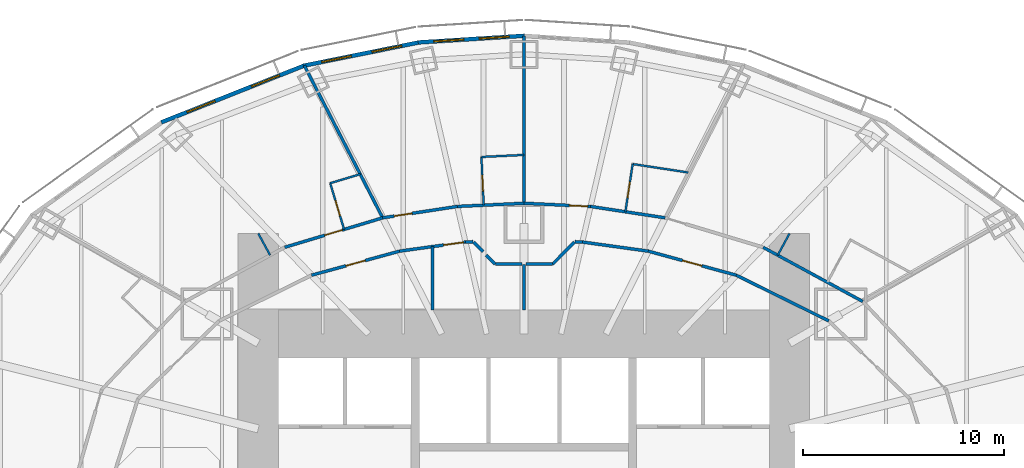
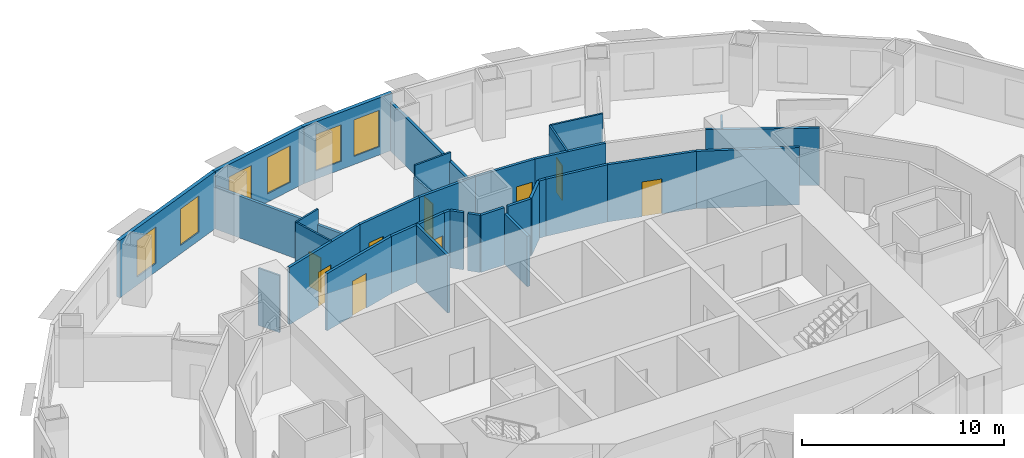
# One storey, part 9 of 15: 33 walls, 9 doors, 6 windows, 15 openings.
"""IFC4 building model written with IfcOpenShell, lengths in metres."""

from ifc_helpers import new_model, si_unit, direction, frame, frame_2d, origin, place, context, subcontext, project, spatial, rectangle, extrude, material, layer, layer_set, type_object, element, fill, save


model = new_model("IFC4")

# Units and contexts
model_context = context("Model", 3, precision=1e-05, world=origin(), true_north=direction((0.0, 1.0)))
body_context = subcontext(model_context, "Body", "Model", "MODEL_VIEW")
ifc_project = project(units=[si_unit("LENGTHUNIT", "METRE"), si_unit("AREAUNIT", "SQUARE_METRE"), si_unit("VOLUMEUNIT", "CUBIC_METRE"), si_unit("PLANEANGLEUNIT", "RADIAN"), si_unit("MASSUNIT", "GRAM", prefix="KILO")], contexts=[model_context])

# Site, building, storey
site_placement = place(None, origin())
site = spatial("IfcSite", under=ifc_project, at=site_placement, CompositionType="ELEMENT")
building_placement = place(site_placement, origin())
building = spatial("IfcBuilding", under=site, at=building_placement, Name="Lantaw Convention Tower", CompositionType="ELEMENT")
storey_placement = place(building_placement, frame((0.0, 0.0, 83.800048828125)))
storey = spatial("IfcBuildingStorey", under=building, at=storey_placement, Name="L19", CompositionType="ELEMENT", Elevation=83.800048828125)

# Walls
ifc_material_1 = material(Name="Gypsum board on steel studs", Category="steel")
ifc_layer_1 = layer(ifc_material_1, 0.14990234375)
ifc_layer_set_1 = layer_set([ifc_layer_1], Name="Back of house wall 150")
wall_type_1 = type_object("IfcWallType", Name="Back of house wall 150", PredefinedType="PARTITIONING", material=ifc_layer_set_1)
wall_1_placement = place(storey_placement, frame((0.0, 9.199951171875, 0.0), z_axis=(0.0, 0.0, 1.0), x_axis=(0.0, 1.0, 0.0)))
element("IfcWall", 1, at=wall_1_placement, inside=storey, type_object=wall_type_1, Name="Back of house wall 150", PredefinedType="PARTITIONING", context=body_context, shape_type="SweptSolid", body=[
    extrude(rectangle(XDim=2.26513671875, YDim=0.14990234375, at=frame_2d((1.132568359375, 0.0))), origin(), (0.0, 0.0, 1.0), 3.04345703125),
])
wall_2_placement = place(storey_placement, frame((-0.103271484375, 11.47509765625, 0.0), z_axis=(0.0, 0.0, 1.0), x_axis=(-1.0, 0.0, 0.0)))
element("IfcWall", 2, at=wall_2_placement, inside=storey, type_object=wall_type_1, Name="Back of house wall 150", PredefinedType="PARTITIONING", context=body_context, shape_type="SweptSolid", body=[
    extrude(rectangle(XDim=1.3212890625, YDim=0.14990234375, at=frame_2d((0.66064453125, 0.0))), origin(), (0.0, 0.0, 1.0), 3.449951171875),
])
wall_3_placement = place(storey_placement, frame((-1.424560546875, 11.47509765625, 0.0), z_axis=(0.0, 0.0, 1.0), x_axis=(-0.707106781187, 0.707106781187, 0.0)))
element("IfcWall", 3, at=wall_3_placement, inside=storey, type_object=wall_type_1, Name="Back of house wall 150", PredefinedType="PARTITIONING", context=body_context, shape_type="SweptSolid", body=[
    extrude(rectangle(XDim=0.635986328125, YDim=0.14990234375, at=frame_2d((0.31787109375, 0.0))), origin(), (0.0, 0.0, 1.0), 3.449951171875),
])

# Wall, opening, door
ifc_material_2 = material(Name="Moisture resistant gypsum board on steel studs", Category="steel")
ifc_layer_2 = layer(ifc_material_2, 0.10009765625)
ifc_layer_set_2 = layer_set([ifc_layer_2], Name="Bathroom wall 100")
wall_type_2 = type_object("IfcWallType", Name="Bathroom wall 100", PredefinedType="PARTITIONING", material=ifc_layer_set_2)
wall_4_placement = place(storey_placement, frame((5.042236328125, 14.077880859375, 0.0), z_axis=(0.0, 0.0, 1.0), x_axis=(0.150856962013, 0.988555601376, 0.0)))
wall_4 = element("IfcWall", 4, at=wall_4_placement, inside=storey, type_object=wall_type_2, Name="Bathroom wall 100", PredefinedType="PARTITIONING", context=body_context, shape_type="SweptSolid", body=[
    extrude(rectangle(XDim=2.400146484375, YDim=0.10009765625, at=frame_2d((1.2001953125, 0.0))), origin(), (0.0, 0.0, 1.0), 3.449951171875),
])
opening_1_placement = place(wall_4_placement, frame((0.699951171875, 0.0, 0.0)))
opening_1 = element("IfcOpeningElement", 5, at=opening_1_placement, cuts=wall_4, Name="Opening L19.29", PredefinedType="OPENING", context=body_context, shape_type="SweptSolid", body=[
    extrude(rectangle(XDim=0.800048828125, YDim=2.10009765625, at=frame_2d((0.39990234375, 1.050048828125))), frame((0.0, 0.06005859375, 0.0), z_axis=(0.0, -1.0, 0.0), x_axis=(1.0, 0.0, 0.0)), (0.0, 0.0, 1.0), 0.1201171875),
])
ifc_material_3 = material(Name="Timber", Category="wood")
door_type_1 = type_object("IfcDoorType", Name="Bathroom door 800", OperationType="SINGLE_SWING_LEFT", PredefinedType="DOOR", material=ifc_material_3)
door_1_placement = place(opening_1_placement, origin())
door_1 = element("IfcDoor", 6, at=door_1_placement, inside=storey, type_object=door_type_1, Name="Bathroom door", OperationType="SINGLE_SWING_LEFT", OverallHeight=2.10009765625, OverallWidth=0.800048828125, PredefinedType="DOOR", context=body_context, shape_type="SweptSolid", body=[
    extrude(rectangle(XDim=0.800048828125, YDim=2.10009765625, at=frame_2d((0.39990234375, 1.050048828125))), frame((0.0, 0.02490234375, 0.0), z_axis=(0.0, -1.0, 0.0), x_axis=(1.0, 0.0, 0.0)), (0.0, 0.0, 1.0), 0.050048828125),
])
fill(opening_1, door_1)

# Wall
wall_5_placement = place(storey_placement, frame((5.404296875, 16.450439453125, 0.0), z_axis=(0.0, 0.0, 1.0), x_axis=(0.988568792086, -0.150770498819, 0.0)))
element("IfcWall", 7, at=wall_5_placement, inside=storey, type_object=wall_type_2, Name="Bathroom wall 100", PredefinedType="PARTITIONING", context=body_context, shape_type="SweptSolid", body=[
    extrude(rectangle(XDim=2.794921875, YDim=0.10009765625, at=frame_2d((1.3974609375, 0.0))), origin(), (0.0, 0.0, 1.0), 3.449951171875),
])

# Wall, opening, door
wall_6_placement = place(storey_placement, frame((-1.997802734375, 14.40478515625, 0.0), z_axis=(0.0, 0.0, 1.0), x_axis=(-0.047608648396, 0.998866065395, 0.0)))
wall_6 = element("IfcWall", 8, at=wall_6_placement, inside=storey, type_object=wall_type_2, Name="Bathroom wall 100", PredefinedType="PARTITIONING", context=body_context, shape_type="SweptSolid", body=[
    extrude(rectangle(XDim=2.39990234375, YDim=0.10009765625, at=frame_2d((1.199951171875, 0.0))), origin(), (0.0, 0.0, 1.0), 2.7490234375),
])
opening_2_placement = place(wall_6_placement, frame((0.699951171875, 0.0, 0.0)))
opening_2 = element("IfcOpeningElement", 9, at=opening_2_placement, cuts=wall_6, Name="Opening L19.31", PredefinedType="OPENING", context=body_context, shape_type="SweptSolid", body=[
    extrude(rectangle(XDim=0.800048828125, YDim=2.10009765625, at=frame_2d((0.39990234375, 1.050048828125))), frame((0.0, 0.06005859375, 0.0), z_axis=(0.0, -1.0, 0.0), x_axis=(1.0, 0.0, 0.0)), (0.0, 0.0, 1.0), 0.1201171875),
])
door_2_placement = place(opening_2_placement, origin())
door_2 = element("IfcDoor", 10, at=door_2_placement, inside=storey, type_object=door_type_1, Name="Bathroom door", OperationType="SINGLE_SWING_LEFT", OverallHeight=2.10009765625, OverallWidth=0.800048828125, PredefinedType="DOOR", context=body_context, shape_type="SweptSolid", body=[
    extrude(rectangle(XDim=0.800048828125, YDim=2.10009765625, at=frame_2d((0.39990234375, 1.050048828125))), frame((0.0, 0.02490234375, 0.0), z_axis=(0.0, -1.0, 0.0), x_axis=(1.0, 0.0, 0.0)), (0.0, 0.0, 1.0), 0.050048828125),
])
fill(opening_2, door_2)

# Wall
wall_7_placement = place(storey_placement, frame((-2.112060546875, 16.802001953125, 0.0), z_axis=(0.0, 0.0, 1.0), x_axis=(0.998862383453, 0.047685835668, 0.0)))
element("IfcWall", 11, at=wall_7_placement, inside=storey, type_object=wall_type_2, Name="Bathroom wall 100", PredefinedType="PARTITIONING", context=body_context, shape_type="SweptSolid", body=[
    extrude(rectangle(XDim=2.114501953125, YDim=0.10009765625, at=frame_2d((1.05712890625, 0.0))), origin(), (0.0, 0.0, 1.0), 3.449951171875),
])

# Wall, opening, door
wall_8_placement = place(storey_placement, frame((-8.9345703125, 13.199951171875, 0.0), z_axis=(0.0, 0.0, 1.0), x_axis=(-0.288197066254, 0.957571120598, 0.0)))
wall_8 = element("IfcWall", 12, at=wall_8_placement, inside=storey, type_object=wall_type_2, Name="Bathroom wall 100", PredefinedType="PARTITIONING", context=body_context, shape_type="SweptSolid", body=[
    extrude(rectangle(XDim=2.39990234375, YDim=0.10009765625, at=frame_2d((1.199951171875, 0.0))), origin(), (0.0, 0.0, 1.0), 3.449951171875),
])
opening_3_placement = place(wall_8_placement, frame((0.699951171875, 0.0, 0.0)))
opening_3 = element("IfcOpeningElement", 13, at=opening_3_placement, cuts=wall_8, Name="Opening L19.33", PredefinedType="OPENING", context=body_context, shape_type="SweptSolid", body=[
    extrude(rectangle(XDim=0.800048828125, YDim=2.10009765625, at=frame_2d((0.39990234375, 1.050048828125))), frame((0.0, 0.06005859375, 0.0), z_axis=(0.0, -1.0, 0.0), x_axis=(1.0, 0.0, 0.0)), (0.0, 0.0, 1.0), 0.1201171875),
])
door_3_placement = place(opening_3_placement, origin())
door_3 = element("IfcDoor", 14, at=door_3_placement, inside=storey, type_object=door_type_1, Name="Bathroom door", OperationType="SINGLE_SWING_LEFT", OverallHeight=2.10009765625, OverallWidth=0.800048828125, PredefinedType="DOOR", context=body_context, shape_type="SweptSolid", body=[
    extrude(rectangle(XDim=0.800048828125, YDim=2.10009765625, at=frame_2d((0.39990234375, 1.050048828125))), frame((0.0, 0.02490234375, 0.0), z_axis=(0.0, -1.0, 0.0), x_axis=(1.0, 0.0, 0.0)), (0.0, 0.0, 1.0), 0.050048828125),
])
fill(opening_3, door_3)

# Walls
wall_9_placement = place(storey_placement, frame((-9.626220703125, 15.498046875, 0.0), z_axis=(0.0, 0.0, 1.0), x_axis=(0.957551231109, 0.288263143328, 0.0)))
element("IfcWall", 15, at=wall_9_placement, inside=storey, type_object=wall_type_2, Name="Bathroom wall 100", PredefinedType="PARTITIONING", context=body_context, shape_type="SweptSolid", body=[
    extrude(rectangle(XDim=1.56591796875, YDim=0.10009765625, at=frame_2d((0.782958984375, 0.0))), origin(), (0.0, 0.0, 1.0), 3.449951171875),
])
ifc_material_4 = material(Name="Gypsum board on steel studs, fire rated", Category="steel")
ifc_layer_3 = layer(ifc_material_4, 0.14990234375)
ifc_layer_set_3 = layer_set([ifc_layer_3], Name="Corridor wall 150 EI 60")
wall_type_3 = type_object("IfcWallType", Name="Corridor wall 150 EI 60", PredefinedType="PARTITIONING", material=ifc_layer_set_3)
wall_10_placement = place(storey_placement, frame((16.8349609375, 9.6201171875, 0.0), z_axis=(0.0, 0.0, 1.0), x_axis=(-0.878450059298, 0.477834169267, 0.0)))
element("IfcWall", 16, at=wall_10_placement, inside=storey, type_object=wall_type_3, Name="Corridor wall 150", PredefinedType="PARTITIONING", context=body_context, shape_type="SweptSolid", body=[
    extrude(rectangle(XDim=5.630859375, YDim=0.14990234375, at=frame_2d((2.8154296875, 0.0))), origin(), (0.0, 0.0, 1.0), 3.449951171875),
])
wall_11_placement = place(storey_placement, frame((7.019287109375, 13.7763671875, 0.0), z_axis=(0.0, 0.0, 1.0), x_axis=(-0.988564270062, 0.150800145746, 0.0)))
element("IfcWall", 17, at=wall_11_placement, inside=storey, type_object=wall_type_3, Name="Corridor wall 150", PredefinedType="PARTITIONING", context=body_context, shape_type="SweptSolid", body=[
    extrude(rectangle(XDim=3.751220703125, YDim=0.14990234375, at=frame_2d((1.87548828125, 0.0))), origin(), (0.0, 0.0, 1.0), 3.449951171875),
])

# Wall, opening, door
wall_12_placement = place(storey_placement, frame((3.31103515625, 14.342041015625, 0.0), z_axis=(0.0, 0.0, 1.0), x_axis=(-0.998863968075, 0.047652631422, 0.0)))
wall_12 = element("IfcWall", 18, at=wall_12_placement, inside=storey, type_object=wall_type_3, Name="Corridor wall 150", PredefinedType="PARTITIONING", context=body_context, shape_type="SweptSolid", body=[
    extrude(rectangle(XDim=3.314697265625, YDim=0.14990234375, at=frame_2d((1.6572265625, 0.0))), origin(), (0.0, 0.0, 1.0), 3.449951171875),
])
opening_4_placement = place(wall_12_placement, frame((0.14990234375, 0.0, 0.0)))
opening_4 = element("IfcOpeningElement", 19, at=opening_4_placement, cuts=wall_12, Name="Opening L19.30", PredefinedType="OPENING", context=body_context, shape_type="SweptSolid", body=[
    extrude(rectangle(XDim=0.89990234375, YDim=2.10009765625, at=frame_2d((0.449951171875, 1.050048828125))), frame((0.0, 0.0849609375, 0.0), z_axis=(0.0, -1.0, 0.0), x_axis=(1.0, 0.0, 0.0)), (0.0, 0.0, 1.0), 0.169921875),
])
ifc_material_5 = material(Name="Steel, fire rated", Category="steel")
door_type_2 = type_object("IfcDoorType", Name="Guest room entrance door FD30S", OperationType="SINGLE_SWING_LEFT", PredefinedType="DOOR", material=ifc_material_5)
door_4_placement = place(opening_4_placement, origin())
door_4 = element("IfcDoor", 20, at=door_4_placement, inside=storey, type_object=door_type_2, Name="Junior suite entrance door", OperationType="SINGLE_SWING_LEFT", OverallHeight=2.10009765625, OverallWidth=0.89990234375, PredefinedType="DOOR", context=body_context, shape_type="SweptSolid", body=[
    extrude(rectangle(XDim=0.89990234375, YDim=2.10009765625, at=frame_2d((0.449951171875, 1.050048828125))), frame((0.0, 0.02490234375, 0.0), z_axis=(0.0, -1.0, 0.0), x_axis=(1.0, 0.0, 0.0)), (0.0, 0.0, 1.0), 0.050048828125),
])
fill(opening_4, door_4)

# Wall
wall_13_placement = place(storey_placement, frame((0.0, 14.5, 0.0), z_axis=(0.0, 0.0, 1.0), x_axis=(-0.998863968075, -0.047652631422, 0.0)))
element("IfcWall", 21, at=wall_13_placement, inside=storey, type_object=wall_type_3, Name="Corridor wall 150", PredefinedType="PARTITIONING", context=body_context, shape_type="SweptSolid", body=[
    extrude(rectangle(XDim=3.314697265625, YDim=0.14990234375, at=frame_2d((1.6572265625, 0.0))), origin(), (0.0, 0.0, 1.0), 3.449951171875),
])

# Wall, opening, door
wall_14_placement = place(storey_placement, frame((-3.31103515625, 14.342041015625, 0.0), z_axis=(0.0, 0.0, 1.0), x_axis=(-0.988564270062, -0.150800145746, 0.0)))
wall_14 = element("IfcWall", 22, at=wall_14_placement, inside=storey, type_object=wall_type_3, Name="Corridor wall 150", PredefinedType="PARTITIONING", context=body_context, shape_type="SweptSolid", body=[
    extrude(rectangle(XDim=3.751220703125, YDim=0.14990234375, at=frame_2d((1.87548828125, 0.0))), origin(), (0.0, 0.0, 1.0), 3.449951171875),
])
opening_5_placement = place(wall_14_placement, frame((2.27587890625, 0.0, 0.0)))
opening_5 = element("IfcOpeningElement", 23, at=opening_5_placement, cuts=wall_14, Name="Opening L19.32", PredefinedType="OPENING", context=body_context, shape_type="SweptSolid", body=[
    extrude(rectangle(XDim=0.89990234375, YDim=2.10009765625, at=frame_2d((0.449951171875, 1.050048828125))), frame((0.0, 0.0849609375, 0.0), z_axis=(0.0, -1.0, 0.0), x_axis=(1.0, 0.0, 0.0)), (0.0, 0.0, 1.0), 0.169921875),
])
door_5_placement = place(opening_5_placement, origin())
door_5 = element("IfcDoor", 24, at=door_5_placement, inside=storey, type_object=door_type_2, Name="Junior suite entrance door", OperationType="SINGLE_SWING_LEFT", OverallHeight=2.10009765625, OverallWidth=0.89990234375, PredefinedType="DOOR", context=body_context, shape_type="SweptSolid", body=[
    extrude(rectangle(XDim=0.89990234375, YDim=2.10009765625, at=frame_2d((0.449951171875, 1.050048828125))), frame((0.0, 0.02490234375, 0.0), z_axis=(0.0, -1.0, 0.0), x_axis=(1.0, 0.0, 0.0)), (0.0, 0.0, 1.0), 0.050048828125),
])
fill(opening_5, door_5)

wall_15_placement = place(storey_placement, frame((-7.019287109375, 13.7763671875, 0.0), z_axis=(0.0, 0.0, 1.0), x_axis=(-0.957564241242, -0.288219922793, 0.0)))
wall_15 = element("IfcWall", 25, at=wall_15_placement, inside=storey, type_object=wall_type_3, Name="Corridor wall 150", PredefinedType="PARTITIONING", context=body_context, shape_type="SweptSolid", body=[
    extrude(rectangle(XDim=5.0849609375, YDim=0.14990234375, at=frame_2d((2.54248046875, 0.0))), origin(), (0.0, 0.0, 1.0), 3.449951171875),
])
opening_6_placement = place(wall_15_placement, frame((2.10009765625, 0.0, 0.0)))
opening_6 = element("IfcOpeningElement", 26, at=opening_6_placement, cuts=wall_15, Name="Opening L19.34", PredefinedType="OPENING", context=body_context, shape_type="SweptSolid", body=[
    extrude(rectangle(XDim=0.89990234375, YDim=2.10009765625, at=frame_2d((0.449951171875, 1.050048828125))), frame((0.0, 0.0849609375, 0.0), z_axis=(0.0, -1.0, 0.0), x_axis=(1.0, 0.0, 0.0)), (0.0, 0.0, 1.0), 0.169921875),
])
door_6_placement = place(opening_6_placement, origin())
door_6 = element("IfcDoor", 27, at=door_6_placement, inside=storey, type_object=door_type_2, Name="Junior suite entrance door", OperationType="SINGLE_SWING_LEFT", OverallHeight=2.10009765625, OverallWidth=0.89990234375, PredefinedType="DOOR", context=body_context, shape_type="SweptSolid", body=[
    extrude(rectangle(XDim=0.89990234375, YDim=2.10009765625, at=frame_2d((0.449951171875, 1.050048828125))), frame((0.0, 0.02490234375, 0.0), z_axis=(0.0, -1.0, 0.0), x_axis=(1.0, 0.0, 0.0)), (0.0, 0.0, 1.0), 0.050048828125),
])
fill(opening_6, door_6)

# Wall
wall_16_placement = place(storey_placement, frame((15.1474609375, 8.65576171875, 0.0), z_axis=(0.0, 0.0, 1.0), x_axis=(-0.89656943448, 0.442903205177, 0.0)))
element("IfcWall", 28, at=wall_16_placement, inside=storey, type_object=wall_type_3, Name="Corridor wall 150", PredefinedType="PARTITIONING", context=body_context, shape_type="SweptSolid", body=[
    extrude(rectangle(XDim=5.12646484375, YDim=0.14990234375, at=frame_2d((2.563232421875, 0.0))), origin(), (0.0, 0.0, 1.0), 3.449951171875),
])

# Wall, opening, door
wall_17_placement = place(storey_placement, frame((10.55126953125, 10.92626953125, 0.0), z_axis=(0.0, 0.0, 1.0), x_axis=(-0.964644466646, 0.263554648923, 0.0)))
wall_17 = element("IfcWall", 29, at=wall_17_placement, inside=storey, type_object=wall_type_3, Name="Corridor wall 150", PredefinedType="PARTITIONING", context=body_context, shape_type="SweptSolid", body=[
    extrude(rectangle(XDim=4.535400390625, YDim=0.14990234375, at=frame_2d((2.267578125, 0.0))), origin(), (0.0, 0.0, 1.0), 3.449951171875),
])
opening_7_placement = place(wall_17_placement, frame((1.767578125, 0.0, 0.0)))
opening_7 = element("IfcOpeningElement", 30, at=opening_7_placement, cuts=wall_17, Name="Opening L19.16", PredefinedType="OPENING", context=body_context, shape_type="SweptSolid", body=[
    extrude(rectangle(XDim=1.0, YDim=2.10009765625, at=frame_2d((0.5, 1.050048828125))), frame((0.0, 0.0849609375, 0.0), z_axis=(0.0, -1.0, 0.0), x_axis=(1.0, 0.0, 0.0)), (0.0, 0.0, 1.0), 0.169921875),
])
door_type_3 = type_object("IfcDoorType", Name="Service door 1000 FD30", OperationType="SINGLE_SWING_LEFT", PredefinedType="DOOR", material=ifc_material_5)
door_7_placement = place(opening_7_placement, origin())
door_7 = element("IfcDoor", 31, at=door_7_placement, inside=storey, type_object=door_type_3, Name="Linen store door", OperationType="SINGLE_SWING_LEFT", OverallHeight=2.10009765625, OverallWidth=1.0, PredefinedType="DOOR", context=body_context, shape_type="SweptSolid", body=[
    extrude(rectangle(XDim=1.0, YDim=2.10009765625, at=frame_2d((0.5, 1.050048828125))), frame((0.0, 0.02490234375, 0.0), z_axis=(0.0, -1.0, 0.0), x_axis=(1.0, 0.0, 0.0)), (0.0, 0.0, 1.0), 0.050048828125),
])
fill(opening_7, door_7)

# Wall
wall_18_placement = place(storey_placement, frame((6.17626953125, 12.12158203125, 0.0), z_axis=(0.0, 0.0, 1.0), x_axis=(-0.990563451353, 0.137054911782, 0.0)))
element("IfcWall", 32, at=wall_18_placement, inside=storey, type_object=wall_type_3, Name="Corridor wall 150", PredefinedType="PARTITIONING", context=body_context, shape_type="SweptSolid", body=[
    extrude(rectangle(XDim=3.304443359375, YDim=0.14990234375, at=frame_2d((1.65234375, 0.0))), origin(), (0.0, 0.0, 1.0), 3.449951171875),
])

# Wall, opening, door
wall_19_placement = place(storey_placement, frame((-2.903076171875, 12.574462890625, 0.0), z_axis=(0.0, 0.0, 1.0), x_axis=(-0.990563451353, -0.137054911782, 0.0)))
wall_19 = element("IfcWall", 33, at=wall_19_placement, inside=storey, type_object=wall_type_3, Name="Corridor wall 150", PredefinedType="PARTITIONING", context=body_context, shape_type="SweptSolid", body=[
    extrude(rectangle(XDim=3.304443359375, YDim=0.14990234375, at=frame_2d((1.65234375, 0.0))), origin(), (0.0, 0.0, 1.0), 3.449951171875),
])
opening_8_placement = place(wall_19_placement, frame((0.10009765625, 0.0, 0.0)))
opening_8 = element("IfcOpeningElement", 34, at=opening_8_placement, cuts=wall_19, Name="Opening L19.18", PredefinedType="OPENING", context=body_context, shape_type="SweptSolid", body=[
    extrude(rectangle(XDim=1.0, YDim=2.10009765625, at=frame_2d((0.5, 1.050048828125))), frame((0.0, 0.0849609375, 0.0), z_axis=(0.0, -1.0, 0.0), x_axis=(1.0, 0.0, 0.0)), (0.0, 0.0, 1.0), 0.169921875),
])
door_type_4 = type_object("IfcDoorType", Name="Accessible WC door 1000 FD30", OperationType="SINGLE_SWING_LEFT", PredefinedType="DOOR", material=ifc_material_5)
door_8_placement = place(opening_8_placement, origin())
door_8 = element("IfcDoor", 35, at=door_8_placement, inside=storey, type_object=door_type_4, Name="Accessible WC door", OperationType="SINGLE_SWING_LEFT", OverallHeight=2.10009765625, OverallWidth=1.0, PredefinedType="DOOR", context=body_context, shape_type="SweptSolid", body=[
    extrude(rectangle(XDim=1.0, YDim=2.10009765625, at=frame_2d((0.5, 1.050048828125))), frame((0.0, 0.02490234375, 0.0), z_axis=(0.0, -1.0, 0.0), x_axis=(1.0, 0.0, 0.0)), (0.0, 0.0, 1.0), 0.050048828125),
])
fill(opening_8, door_8)

wall_20_placement = place(storey_placement, frame((-6.17626953125, 12.12158203125, 0.0), z_axis=(0.0, 0.0, 1.0), x_axis=(-0.964644466646, -0.263554648923, 0.0)))
wall_20 = element("IfcWall", 36, at=wall_20_placement, inside=storey, type_object=wall_type_3, Name="Corridor wall 150", PredefinedType="PARTITIONING", context=body_context, shape_type="SweptSolid", body=[
    extrude(rectangle(XDim=4.535400390625, YDim=0.14990234375, at=frame_2d((2.267578125, 0.0))), origin(), (0.0, 0.0, 1.0), 3.449951171875),
])
opening_9_placement = place(wall_20_placement, frame((1.767578125, 0.0, 0.0)))
opening_9 = element("IfcOpeningElement", 37, at=opening_9_placement, cuts=wall_20, Name="Opening L19.19", PredefinedType="OPENING", context=body_context, shape_type="SweptSolid", body=[
    extrude(rectangle(XDim=1.0, YDim=2.10009765625, at=frame_2d((0.5, 1.050048828125))), frame((0.0, 0.0849609375, 0.0), z_axis=(0.0, -1.0, 0.0), x_axis=(1.0, 0.0, 0.0)), (0.0, 0.0, 1.0), 0.169921875),
])
door_9_placement = place(opening_9_placement, origin())
door_9 = element("IfcDoor", 38, at=door_9_placement, inside=storey, type_object=door_type_3, Name="Housekeeping room door", OperationType="SINGLE_SWING_LEFT", OverallHeight=2.10009765625, OverallWidth=1.0, PredefinedType="DOOR", context=body_context, shape_type="SweptSolid", body=[
    extrude(rectangle(XDim=1.0, YDim=2.10009765625, at=frame_2d((0.5, 1.050048828125))), frame((0.0, 0.02490234375, 0.0), z_axis=(0.0, -1.0, 0.0), x_axis=(1.0, 0.0, 0.0)), (0.0, 0.0, 1.0), 0.050048828125),
])
fill(opening_9, door_9)

# Walls
for number, where, z_axis, x_axis, name in (
    (39, (2.903076171875, 12.574462890625, 0.0), (0.0, 0.0, 1.0), (-0.999061181733, 0.04332153223, 0.0), "Corridor wall 150"),
    (40, (-2.537109375, 12.59033203125, 0.0), (0.0, 0.0, 1.0), (-0.999061181733, -0.04332153223, 0.0), "Corridor wall 150"),
):
    element("IfcWall", number, at=place(storey_placement, frame(where, z_axis=z_axis, x_axis=x_axis)), inside=storey, type_object=wall_type_3, Name=name, PredefinedType="PARTITIONING", context=body_context, shape_type="SweptSolid", body=[
        extrude(rectangle(XDim=0.3662109375, YDim=0.14990234375, at=frame_2d((0.18310546875, 0.0))), origin(), (0.0, 0.0, 1.0), 3.449951171875),
    ])
wall_21_placement = place(storey_placement, frame((2.50634765625, 12.57373046875, 0.0), z_axis=(0.0, 0.0, 1.0), x_axis=(-0.701622806479, -0.712548550927, 0.0)))
element("IfcWall", 41, at=wall_21_placement, inside=storey, type_object=wall_type_3, Name="Corridor wall 150", PredefinedType="PARTITIONING", context=body_context, shape_type="SweptSolid", body=[
    extrude(rectangle(XDim=1.541748046875, YDim=0.14990234375, at=frame_2d((0.77099609375, 0.0))), origin(), (0.0, 0.0, 1.0), 3.449951171875),
])
wall_22_placement = place(storey_placement, frame((1.424560546875, 11.47509765625, 0.0), z_axis=(0.0, 0.0, 1.0), x_axis=(-1.0, 0.0, 0.0)))
element("IfcWall", 42, at=wall_22_placement, inside=storey, type_object=wall_type_3, Name="Corridor wall 150", PredefinedType="PARTITIONING", context=body_context, shape_type="SweptSolid", body=[
    extrude(rectangle(XDim=1.3212890625, YDim=0.14990234375, at=frame_2d((0.66064453125, 0.0))), origin(), (0.0, 0.0, 1.0), 3.449951171875),
])
wall_23_placement = place(storey_placement, frame((-2.02490234375, 12.09228515625, 0.0), z_axis=(0.0, 0.0, 1.0), x_axis=(-0.707106781187, 0.707106781187, 0.0)))
element("IfcWall", 43, at=wall_23_placement, inside=storey, type_object=wall_type_3, Name="Corridor wall 150", PredefinedType="PARTITIONING", context=body_context, shape_type="SweptSolid", body=[
    extrude(rectangle(XDim=0.680908203125, YDim=0.14990234375, at=frame_2d((0.34033203125, 0.0))), origin(), (0.0, 0.0, 1.0), 3.449951171875),
])

# Wall, openings, windows
ifc_material_6 = material(Name="Insulated aluminium panel on steel frame", Category="steel")
ifc_layer_4 = layer(ifc_material_6, 0.199951171875)
ifc_layer_set_4 = layer_set([ifc_layer_4], Name="External wall 200")
wall_type_4 = type_object("IfcWallType", Name="External wall 200", PredefinedType="SOLIDWALL", material=ifc_layer_set_4)
wall_24_placement = place(storey_placement, frame((0.041015625, 22.8271484375, 0.0), z_axis=(0.0, 0.0, 1.0), x_axis=(-0.998018582375, -0.062919863585, 0.0)))
wall_24 = element("IfcWall", 44, at=wall_24_placement, inside=storey, type_object=wall_type_4, Name="Facade panel wall", PredefinedType="SOLIDWALL", context=body_context, shape_type="SweptSolid", body=[
    extrude(rectangle(XDim=5.30419921875, YDim=0.199951171875, at=frame_2d((2.652099609375, 0.0))), origin(), (0.0, 0.0, 1.0), 3.449951171875),
])
opening_10_placement = place(wall_24_placement, frame((0.77587890625, 0.0, 0.5)))
opening_10 = element("IfcOpeningElement", 45, at=opening_10_placement, cuts=wall_24, Name="Opening W2", PredefinedType="OPENING", context=body_context, shape_type="SweptSolid", body=[
    extrude(rectangle(XDim=1.5, YDim=2.199951171875, at=frame_2d((0.75, 1.10009765625))), frame((0.0, 0.10986328125, 0.0), z_axis=(0.0, -1.0, 0.0), x_axis=(1.0, 0.0, 0.0)), (0.0, 0.0, 1.0), 0.219970703125),
])
opening_11_placement = place(wall_24_placement, frame((3.028076171875, 0.0, 0.5)))
opening_11 = element("IfcOpeningElement", 46, at=opening_11_placement, cuts=wall_24, Name="Opening W2", PredefinedType="OPENING", context=body_context, shape_type="SweptSolid", body=[
    extrude(rectangle(XDim=1.5, YDim=2.199951171875, at=frame_2d((0.75, 1.10009765625))), frame((0.0, 0.10986328125, 0.0), z_axis=(0.0, -1.0, 0.0), x_axis=(1.0, 0.0, 0.0)), (0.0, 0.0, 1.0), 0.219970703125),
])
ifc_material_7 = material(Name="Aluminium frame, clear insulating glass", Category="aluminium")
window_type = type_object("IfcWindowType", Name="Suite window 1500x2200", PartitioningType="SINGLE_PANEL", PredefinedType="WINDOW", material=ifc_material_7)
window_1_placement = place(opening_10_placement, origin())
window_1 = element("IfcWindow", 47, at=window_1_placement, inside=storey, type_object=window_type, Name="Guest room window", OverallHeight=2.199951171875, OverallWidth=1.5, PartitioningType="SINGLE_PANEL", PredefinedType="WINDOW", context=body_context, shape_type="SweptSolid", body=[
    extrude(rectangle(XDim=1.5, YDim=2.199951171875, at=frame_2d((0.75, 1.10009765625))), frame((0.0, 0.030029296875, 0.0), z_axis=(0.0, -1.0, 0.0), x_axis=(1.0, 0.0, 0.0)), (0.0, 0.0, 1.0), 0.06005859375),
])
fill(opening_10, window_1)
window_2_placement = place(opening_11_placement, origin())
window_2 = element("IfcWindow", 48, at=window_2_placement, inside=storey, type_object=window_type, Name="Guest room window", OverallHeight=2.199951171875, OverallWidth=1.5, PartitioningType="SINGLE_PANEL", PredefinedType="WINDOW", context=body_context, shape_type="SweptSolid", body=[
    extrude(rectangle(XDim=1.5, YDim=2.199951171875, at=frame_2d((0.75, 1.10009765625))), frame((0.0, 0.030029296875, 0.0), z_axis=(0.0, -1.0, 0.0), x_axis=(1.0, 0.0, 0.0)), (0.0, 0.0, 1.0), 0.06005859375),
])
fill(opening_11, window_2)

wall_25_placement = place(storey_placement, frame((-5.169677734375, 22.504150390625, 0.0), z_axis=(0.0, 0.0, 1.0), x_axis=(-0.980251657452, -0.197754110105, 0.0)))
wall_25 = element("IfcWall", 49, at=wall_25_placement, inside=storey, type_object=wall_type_4, Name="Facade panel wall", PredefinedType="SOLIDWALL", context=body_context, shape_type="SweptSolid", body=[
    extrude(rectangle(XDim=5.90380859375, YDim=0.199951171875, at=frame_2d((2.951904296875, 0.0))), origin(), (0.0, 0.0, 1.0), 3.449951171875),
])
opening_12_placement = place(wall_25_placement, frame((0.92578125, 0.0, 0.5)))
opening_12 = element("IfcOpeningElement", 50, at=opening_12_placement, cuts=wall_25, Name="Opening W2", PredefinedType="OPENING", context=body_context, shape_type="SweptSolid", body=[
    extrude(rectangle(XDim=1.5, YDim=2.199951171875, at=frame_2d((0.75, 1.10009765625))), frame((0.0, 0.10986328125, 0.0), z_axis=(0.0, -1.0, 0.0), x_axis=(1.0, 0.0, 0.0)), (0.0, 0.0, 1.0), 0.219970703125),
])
opening_13_placement = place(wall_25_placement, frame((3.477783203125, 0.0, 0.5)))
opening_13 = element("IfcOpeningElement", 51, at=opening_13_placement, cuts=wall_25, Name="Opening W2", PredefinedType="OPENING", context=body_context, shape_type="SweptSolid", body=[
    extrude(rectangle(XDim=1.5, YDim=2.199951171875, at=frame_2d((0.75, 1.10009765625))), frame((0.0, 0.10986328125, 0.0), z_axis=(0.0, -1.0, 0.0), x_axis=(1.0, 0.0, 0.0)), (0.0, 0.0, 1.0), 0.219970703125),
])
window_3_placement = place(opening_12_placement, origin())
window_3 = element("IfcWindow", 52, at=window_3_placement, inside=storey, type_object=window_type, Name="Guest room window", OverallHeight=2.199951171875, OverallWidth=1.5, PartitioningType="SINGLE_PANEL", PredefinedType="WINDOW", context=body_context, shape_type="SweptSolid", body=[
    extrude(rectangle(XDim=1.5, YDim=2.199951171875, at=frame_2d((0.75, 1.10009765625))), frame((0.0, 0.030029296875, 0.0), z_axis=(0.0, -1.0, 0.0), x_axis=(1.0, 0.0, 0.0)), (0.0, 0.0, 1.0), 0.06005859375),
])
fill(opening_12, window_3)
window_4_placement = place(opening_13_placement, origin())
window_4 = element("IfcWindow", 53, at=window_4_placement, inside=storey, type_object=window_type, Name="Guest room window", OverallHeight=2.199951171875, OverallWidth=1.5, PartitioningType="SINGLE_PANEL", PredefinedType="WINDOW", context=body_context, shape_type="SweptSolid", body=[
    extrude(rectangle(XDim=1.5, YDim=2.199951171875, at=frame_2d((0.75, 1.10009765625))), frame((0.0, 0.030029296875, 0.0), z_axis=(0.0, -1.0, 0.0), x_axis=(1.0, 0.0, 0.0)), (0.0, 0.0, 1.0), 0.06005859375),
])
fill(opening_13, window_4)

wall_26_placement = place(storey_placement, frame((-10.869384765625, 21.362548828125, 0.0), z_axis=(0.0, 0.0, 1.0), x_axis=(-0.929358351251, -0.369178892895, 0.0)))
wall_26 = element("IfcWall", 54, at=wall_26_placement, inside=storey, type_object=wall_type_4, Name="Facade panel wall", PredefinedType="SOLIDWALL", context=body_context, shape_type="SweptSolid", body=[
    extrude(rectangle(XDim=7.6923828125, YDim=0.199951171875, at=frame_2d((3.84619140625, 0.0))), origin(), (0.0, 0.0, 1.0), 3.449951171875),
])
opening_14_placement = place(wall_26_placement, frame((1.373046875, 0.0, 0.5)))
opening_14 = element("IfcOpeningElement", 55, at=opening_14_placement, cuts=wall_26, Name="Opening W2", PredefinedType="OPENING", context=body_context, shape_type="SweptSolid", body=[
    extrude(rectangle(XDim=1.5, YDim=2.199951171875, at=frame_2d((0.75, 1.10009765625))), frame((0.0, 0.10986328125, 0.0), z_axis=(0.0, -1.0, 0.0), x_axis=(1.0, 0.0, 0.0)), (0.0, 0.0, 1.0), 0.219970703125),
])
opening_15_placement = place(wall_26_placement, frame((4.819091796875, 0.0, 0.5)))
opening_15 = element("IfcOpeningElement", 56, at=opening_15_placement, cuts=wall_26, Name="Opening W2", PredefinedType="OPENING", context=body_context, shape_type="SweptSolid", body=[
    extrude(rectangle(XDim=1.5, YDim=2.199951171875, at=frame_2d((0.75, 1.10009765625))), frame((0.0, 0.10986328125, 0.0), z_axis=(0.0, -1.0, 0.0), x_axis=(1.0, 0.0, 0.0)), (0.0, 0.0, 1.0), 0.219970703125),
])
window_5_placement = place(opening_14_placement, origin())
window_5 = element("IfcWindow", 57, at=window_5_placement, inside=storey, type_object=window_type, Name="Guest room window", OverallHeight=2.199951171875, OverallWidth=1.5, PartitioningType="SINGLE_PANEL", PredefinedType="WINDOW", context=body_context, shape_type="SweptSolid", body=[
    extrude(rectangle(XDim=1.5, YDim=2.199951171875, at=frame_2d((0.75, 1.10009765625))), frame((0.0, 0.030029296875, 0.0), z_axis=(0.0, -1.0, 0.0), x_axis=(1.0, 0.0, 0.0)), (0.0, 0.0, 1.0), 0.06005859375),
])
fill(opening_14, window_5)
window_6_placement = place(opening_15_placement, origin())
window_6 = element("IfcWindow", 58, at=window_6_placement, inside=storey, type_object=window_type, Name="Guest room window", OverallHeight=2.199951171875, OverallWidth=1.5, PartitioningType="SINGLE_PANEL", PredefinedType="WINDOW", context=body_context, shape_type="SweptSolid", body=[
    extrude(rectangle(XDim=1.5, YDim=2.199951171875, at=frame_2d((0.75, 1.10009765625))), frame((0.0, 0.030029296875, 0.0), z_axis=(0.0, -1.0, 0.0), x_axis=(1.0, 0.0, 0.0)), (0.0, 0.0, 1.0), 0.06005859375),
])
fill(opening_15, window_6)

# Walls
ifc_material_8 = material(Name="Gypsum board on steel studs, acoustic", Category="steel")
ifc_layer_5 = layer(ifc_material_8, 0.14990234375)
ifc_layer_set_5 = layer_set([ifc_layer_5], Name="Guest room party wall 150")
wall_type_5 = type_object("IfcWallType", Name="Guest room party wall 150", PredefinedType="PARTITIONING", material=ifc_layer_set_5)
wall_27_placement = place(storey_placement, frame((0.0, 22.82470703125, 0.0), z_axis=(0.0, 0.0, 1.0), x_axis=(0.0, -1.0, 0.0)))
element("IfcWall", 59, at=wall_27_placement, inside=storey, type_object=wall_type_5, Name="Guest room party wall 150", PredefinedType="PARTITIONING", context=body_context, shape_type="SweptSolid", body=[
    extrude(rectangle(XDim=8.32470703125, YDim=0.14990234375, at=frame_2d((4.162353515625, 0.0))), origin(), (0.0, 0.0, 1.0), 2.924072265625),
])
wall_28_placement = place(storey_placement, frame((-10.911865234375, 21.345703125, 0.0), z_axis=(0.0, 0.0, 1.0), x_axis=(0.457327273085, -0.889298468059, 0.0)))
element("IfcWall", 60, at=wall_28_placement, inside=storey, type_object=wall_type_5, Name="Guest room party wall 150", PredefinedType="PARTITIONING", context=body_context, shape_type="SweptSolid", body=[
    extrude(rectangle(XDim=8.511474609375, YDim=0.14990234375, at=frame_2d((4.255859375, 0.0))), origin(), (0.0, 0.0, 1.0), 2.52783203125),
])
ifc_layer_6 = layer(ifc_material_8, 0.10009765625)
ifc_layer_set_6 = layer_set([ifc_layer_6], Name="Office partition 100")
wall_type_6 = type_object("IfcWallType", Name="Office partition 100", PredefinedType="PARTITIONING", material=ifc_layer_set_6)
for number, where, z_axis, x_axis, name in (
    (61, (13.199951171875, 13.0, 0.0), (0.0, 0.0, 1.0), (-0.477852414256, -0.878440134665, 0.0), "Office partition 100"),
    (62, (-13.199951171875, 13.0, 0.0), (0.0, 0.0, 1.0), (0.477852414256, -0.878440134665, 0.0), "Office partition 100"),
):
    element("IfcWall", number, at=place(storey_placement, frame(where, z_axis=z_axis, x_axis=x_axis)), inside=storey, type_object=wall_type_6, Name=name, PredefinedType="PARTITIONING", context=body_context, shape_type="SweptSolid", body=[
        extrude(rectangle(XDim=1.232421875, YDim=0.10009765625, at=frame_2d((0.6162109375, 0.0))), origin(), (0.0, 0.0, 1.0), 3.449951171875),
    ])
ifc_material_9 = material(Name="Concrete blockwork", Category="masonry")
ifc_layer_7 = layer(ifc_material_9, 0.14990234375)
ifc_layer_set_7 = layer_set([ifc_layer_7], Name="WC wall 150")
wall_type_7 = type_object("IfcWallType", Name="WC wall 150", PredefinedType="SOLIDWALL", material=ifc_layer_set_7)
wall_29_placement = place(storey_placement, frame((-4.550048828125, 9.199951171875, 0.0), z_axis=(0.0, 0.0, 1.0), x_axis=(0.0, 1.0, 0.0)))
element("IfcWall", 63, at=wall_29_placement, inside=storey, type_object=wall_type_7, Name="WC wall 150", PredefinedType="SOLIDWALL", context=body_context, shape_type="SweptSolid", body=[
    extrude(rectangle(XDim=3.146728515625, YDim=0.14990234375, at=frame_2d((1.5732421875, 0.0))), origin(), (0.0, 0.0, 1.0), 3.449951171875),
])

save(model, "model.ifc")
